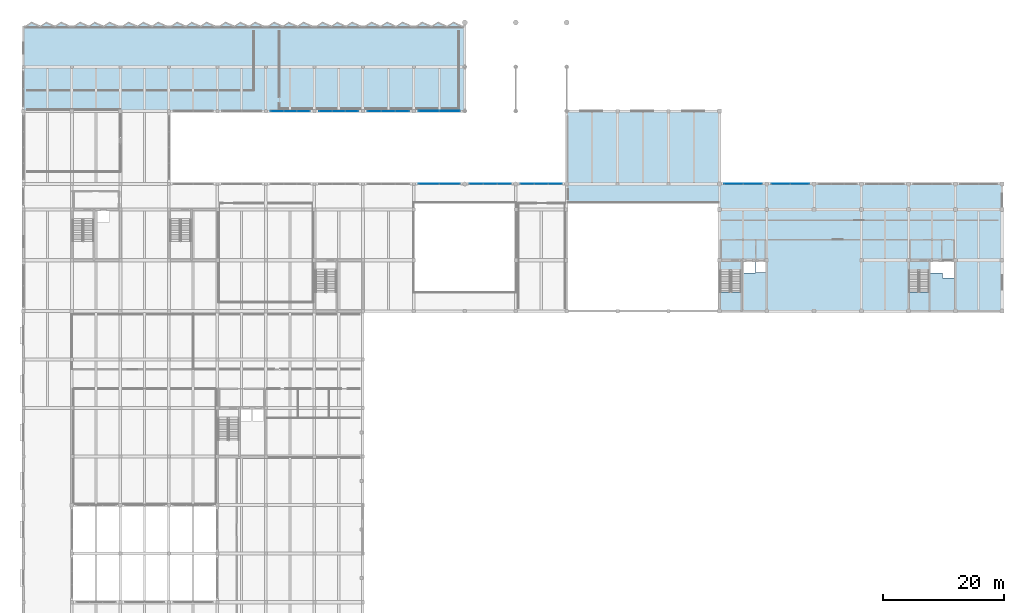
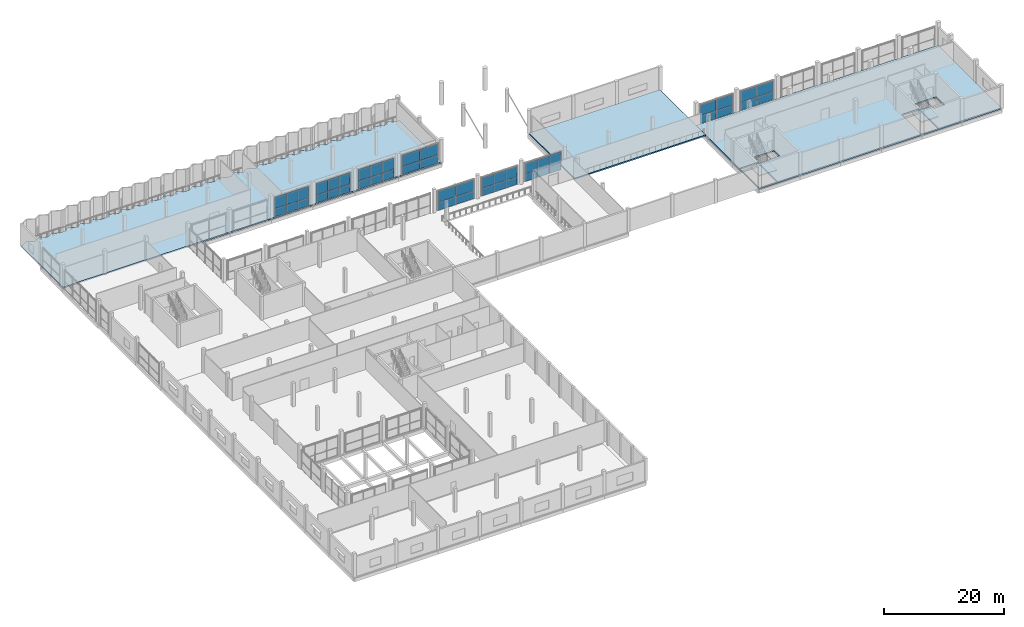
# One storey, part 28 of 47: 46 plates, 5 slabs, 11 elements without a shape of their own.
"""IFC4 building model written with IfcOpenShell, lengths in metres."""

from ifc_helpers import new_model, si_unit, direction, frame, origin, origin_2d, place, context, subcontext, project, spatial, polyline, rectangle, outline, extrude, material, layer, layer_set, type_object, element, aggregate, save


model = new_model("IFC4")

# Units and contexts
model_context = context("Model", 3, precision=1e-05, world=origin(), true_north=direction((0.0, 1.0)))
body_context = subcontext(model_context, "Body", "Model", "MODEL_VIEW")
ifc_project = project(units=[si_unit("LENGTHUNIT", "METRE"), si_unit("AREAUNIT", "SQUARE_METRE"), si_unit("VOLUMEUNIT", "CUBIC_METRE"), si_unit("PLANEANGLEUNIT", "RADIAN"), si_unit("MASSUNIT", "GRAM", prefix="KILO")], contexts=[model_context])

# Site, building, storey
site_placement = place(None, origin())
site = spatial("IfcSite", under=ifc_project, at=site_placement, CompositionType="ELEMENT")
building_placement = place(site_placement, origin())
building = spatial("IfcBuilding", under=site, at=building_placement, Name="Vharandega Faculty of Natural Sciences", CompositionType="ELEMENT")
storey_placement = place(building_placement, frame((0.0, 0.0, 5.39990234375)))
storey = spatial("IfcBuildingStorey", under=building, at=storey_placement, Name="L01", CompositionType="ELEMENT", Elevation=5.39990234375)

# Curtain wall, plates
ifc_material_1 = material(Name="Aluminium and solar-control glass curtain wall", Category="aluminium")
curtain_wall_type_1 = type_object("IfcCurtainWallType", Name="Unitised Curtain Wall System CW-03", PredefinedType="NOTDEFINED", material=ifc_material_1)
curtain_wall_1_placement = place(storey_placement, origin())
curtain_wall_1 = element("IfcCurtainWall", 1, at=curtain_wall_1_placement, inside=storey, type_object=curtain_wall_type_1, Name="Curtain Wall CW-L01-002", PredefinedType="NOTDEFINED")
ifc_material_2 = material(Name="Double-glazed low-E solar glass", Category="glass")
ifc_layer_1 = layer(ifc_material_2, 0.028076171875, Name="Double-glazed low-E solar glass")
ifc_layer_set_1 = layer_set([ifc_layer_1], Name="Double-glazed low-E solar glass")
plate_type_1 = type_object("IfcPlateType", Name="CW Solar Vision Panel 28mm", PredefinedType="CURTAIN_PANEL", material=ifc_layer_set_1)
plate_1_placement = place(storey_placement, frame((117.135009765625, 85.0, 0.06005859375), z_axis=(0.0, 0.0, 1.0), x_axis=(1.0, 0.0, 0.0)))
plate_1 = element("IfcPlate", 2, at=plate_1_placement, type_object=plate_type_1, Name="CW-03 panel 1.1", PredefinedType="CURTAIN_PANEL", context=body_context, shape_type="SweptSolid", body=[
    extrude(rectangle(XDim=3.070068359375, YDim=0.028076171875, at=origin_2d()), origin(), (0.0, 0.0, 1.0), 1.569091796875),
])
plate_2_placement = place(storey_placement, frame((117.135009765625, 85.0, 1.68896484375), z_axis=(0.0, 0.0, 1.0), x_axis=(1.0, 0.0, 0.0)))
plate_2 = element("IfcPlate", 3, at=plate_2_placement, type_object=plate_type_1, Name="CW-03 panel 1.2", PredefinedType="CURTAIN_PANEL", context=body_context, shape_type="SweptSolid", body=[
    extrude(rectangle(XDim=3.070068359375, YDim=0.028076171875, at=origin_2d()), origin(), (0.0, 0.0, 1.0), 2.200927734375),
])
plate_3_placement = place(storey_placement, frame((120.264892578125, 85.0, 0.06005859375), z_axis=(0.0, 0.0, 1.0), x_axis=(1.0, 0.0, 0.0)))
plate_3 = element("IfcPlate", 4, at=plate_3_placement, type_object=plate_type_1, Name="CW-03 panel 2.1", PredefinedType="CURTAIN_PANEL", context=body_context, shape_type="SweptSolid", body=[
    extrude(rectangle(XDim=3.070068359375, YDim=0.028076171875, at=origin_2d()), origin(), (0.0, 0.0, 1.0), 1.569091796875),
])
plate_4_placement = place(storey_placement, frame((120.264892578125, 85.0, 1.68896484375), z_axis=(0.0, 0.0, 1.0), x_axis=(1.0, 0.0, 0.0)))
plate_4 = element("IfcPlate", 5, at=plate_4_placement, type_object=plate_type_1, Name="CW-03 panel 2.2", PredefinedType="CURTAIN_PANEL", context=body_context, shape_type="SweptSolid", body=[
    extrude(rectangle(XDim=3.070068359375, YDim=0.028076171875, at=origin_2d()), origin(), (0.0, 0.0, 1.0), 2.200927734375),
])
aggregate(curtain_wall_1, [plate_1, plate_2, plate_3, plate_4])

ifc_material_3 = material(Name="Aluminium and solar-control glass curtain wall", Category="aluminium")
curtain_wall_type_2 = type_object("IfcCurtainWallType", Name="Unitised Curtain Wall System CW-04", PredefinedType="NOTDEFINED", material=ifc_material_3)
curtain_wall_2_placement = place(storey_placement, origin())
curtain_wall_2 = element("IfcCurtainWall", 6, at=curtain_wall_2_placement, inside=storey, type_object=curtain_wall_type_2, Name="Curtain Wall CW-L01-003", PredefinedType="NOTDEFINED")
plate_5_placement = place(storey_placement, frame((124.93505859375, 85.0, 0.06005859375), z_axis=(0.0, 0.0, 1.0), x_axis=(1.0, 0.0, 0.0)))
plate_5 = element("IfcPlate", 7, at=plate_5_placement, type_object=plate_type_1, Name="CW-04 panel 1.1", PredefinedType="CURTAIN_PANEL", context=body_context, shape_type="SweptSolid", body=[
    extrude(rectangle(XDim=3.070068359375, YDim=0.028076171875, at=origin_2d()), origin(), (0.0, 0.0, 1.0), 1.569091796875),
])
plate_6_placement = place(storey_placement, frame((124.93505859375, 85.0, 1.68896484375), z_axis=(0.0, 0.0, 1.0), x_axis=(1.0, 0.0, 0.0)))
plate_6 = element("IfcPlate", 8, at=plate_6_placement, type_object=plate_type_1, Name="CW-04 panel 1.2", PredefinedType="CURTAIN_PANEL", context=body_context, shape_type="SweptSolid", body=[
    extrude(rectangle(XDim=3.070068359375, YDim=0.028076171875, at=origin_2d()), origin(), (0.0, 0.0, 1.0), 2.200927734375),
])
plate_7_placement = place(storey_placement, frame((128.06494140625, 85.0, 0.06005859375), z_axis=(0.0, 0.0, 1.0), x_axis=(1.0, 0.0, 0.0)))
plate_7 = element("IfcPlate", 9, at=plate_7_placement, type_object=plate_type_1, Name="CW-04 panel 2.1", PredefinedType="CURTAIN_PANEL", context=body_context, shape_type="SweptSolid", body=[
    extrude(rectangle(XDim=3.070068359375, YDim=0.028076171875, at=origin_2d()), origin(), (0.0, 0.0, 1.0), 1.569091796875),
])
plate_8_placement = place(storey_placement, frame((128.06494140625, 85.0, 1.68896484375), z_axis=(0.0, 0.0, 1.0), x_axis=(1.0, 0.0, 0.0)))
plate_8 = element("IfcPlate", 10, at=plate_8_placement, type_object=plate_type_1, Name="CW-04 panel 2.2", PredefinedType="CURTAIN_PANEL", context=body_context, shape_type="SweptSolid", body=[
    extrude(rectangle(XDim=3.070068359375, YDim=0.028076171875, at=origin_2d()), origin(), (0.0, 0.0, 1.0), 2.200927734375),
])
aggregate(curtain_wall_2, [plate_5, plate_6, plate_7, plate_8])

ifc_material_4 = material(Name="Aluminium and solar-control glass curtain wall", Category="aluminium")
curtain_wall_type_3 = type_object("IfcCurtainWallType", Name="Unitised Curtain Wall System CW-20", PredefinedType="NOTDEFINED", material=ifc_material_4)
curtain_wall_3_placement = place(storey_placement, origin())
curtain_wall_3 = element("IfcCurtainWall", 11, at=curtain_wall_3_placement, inside=storey, type_object=curtain_wall_type_3, Name="Curtain Wall CW-L01-047", PredefinedType="NOTDEFINED")
plate_9_placement = place(storey_placement, frame((41.841552734375, 97.0, 0.06005859375), z_axis=(0.0, 0.0, 1.0), x_axis=(1.0, 0.0, 0.0)))
plate_9 = element("IfcPlate", 12, at=plate_9_placement, type_object=plate_type_1, Name="CW-20 panel 1.1", PredefinedType="CURTAIN_PANEL", context=body_context, shape_type="SweptSolid", body=[
    extrude(rectangle(XDim=2.083251953125, YDim=0.028076171875, at=origin_2d()), origin(), (0.0, 0.0, 1.0), 1.606689453125),
])
plate_10_placement = place(storey_placement, frame((41.841552734375, 97.0, 1.72705078125), z_axis=(0.0, 0.0, 1.0), x_axis=(1.0, 0.0, 0.0)))
plate_10 = element("IfcPlate", 13, at=plate_10_placement, type_object=plate_type_1, Name="CW-20 panel 1.2", PredefinedType="CURTAIN_PANEL", context=body_context, shape_type="SweptSolid", body=[
    extrude(rectangle(XDim=2.083251953125, YDim=0.028076171875, at=origin_2d()), origin(), (0.0, 0.0, 1.0), 2.253173828125),
])
plate_11_placement = place(storey_placement, frame((44.0, 97.0, 0.06005859375), z_axis=(0.0, 0.0, 1.0), x_axis=(1.0, 0.0, 0.0)))
plate_11 = element("IfcPlate", 14, at=plate_11_placement, type_object=plate_type_1, Name="CW-20 panel 2.1", PredefinedType="CURTAIN_PANEL", context=body_context, shape_type="SweptSolid", body=[
    extrude(rectangle(XDim=2.11328125, YDim=0.028076171875, at=origin_2d()), origin(), (0.0, 0.0, 1.0), 1.606689453125),
])
plate_12_placement = place(storey_placement, frame((44.0, 97.0, 1.72705078125), z_axis=(0.0, 0.0, 1.0), x_axis=(1.0, 0.0, 0.0)))
plate_12 = element("IfcPlate", 15, at=plate_12_placement, type_object=plate_type_1, Name="CW-20 panel 2.2", PredefinedType="CURTAIN_PANEL", context=body_context, shape_type="SweptSolid", body=[
    extrude(rectangle(XDim=2.11328125, YDim=0.028076171875, at=origin_2d()), origin(), (0.0, 0.0, 1.0), 2.253173828125),
])
plate_13_placement = place(storey_placement, frame((46.158447265625, 97.0, 0.06005859375), z_axis=(0.0, 0.0, 1.0), x_axis=(1.0, 0.0, 0.0)))
plate_13 = element("IfcPlate", 16, at=plate_13_placement, type_object=plate_type_1, Name="CW-20 panel 3.1", PredefinedType="CURTAIN_PANEL", context=body_context, shape_type="SweptSolid", body=[
    extrude(rectangle(XDim=2.083251953125, YDim=0.028076171875, at=origin_2d()), origin(), (0.0, 0.0, 1.0), 1.606689453125),
])
plate_14_placement = place(storey_placement, frame((46.158447265625, 97.0, 1.72705078125), z_axis=(0.0, 0.0, 1.0), x_axis=(1.0, 0.0, 0.0)))
plate_14 = element("IfcPlate", 17, at=plate_14_placement, type_object=plate_type_1, Name="CW-20 panel 3.2", PredefinedType="CURTAIN_PANEL", context=body_context, shape_type="SweptSolid", body=[
    extrude(rectangle(XDim=2.083251953125, YDim=0.028076171875, at=origin_2d()), origin(), (0.0, 0.0, 1.0), 2.253173828125),
])
aggregate(curtain_wall_3, [plate_9, plate_10, plate_11, plate_12, plate_13, plate_14])

ifc_material_5 = material(Name="Aluminium and solar-control glass curtain wall", Category="aluminium")
curtain_wall_type_4 = type_object("IfcCurtainWallType", Name="Unitised Curtain Wall System CW-21", PredefinedType="NOTDEFINED", material=ifc_material_5)
curtain_wall_4_placement = place(storey_placement, origin())
curtain_wall_4 = element("IfcCurtainWall", 18, at=curtain_wall_4_placement, inside=storey, type_object=curtain_wall_type_4, Name="Curtain Wall CW-L01-048", PredefinedType="NOTDEFINED")
plate_15_placement = place(storey_placement, frame((49.841552734375, 97.0, 0.06005859375), z_axis=(0.0, 0.0, 1.0), x_axis=(1.0, 0.0, 0.0)))
plate_15 = element("IfcPlate", 19, at=plate_15_placement, type_object=plate_type_1, Name="CW-21 panel 1.1", PredefinedType="CURTAIN_PANEL", context=body_context, shape_type="SweptSolid", body=[
    extrude(rectangle(XDim=2.083251953125, YDim=0.028076171875, at=origin_2d()), origin(), (0.0, 0.0, 1.0), 1.606689453125),
])
plate_16_placement = place(storey_placement, frame((49.841552734375, 97.0, 1.72705078125), z_axis=(0.0, 0.0, 1.0), x_axis=(1.0, 0.0, 0.0)))
plate_16 = element("IfcPlate", 20, at=plate_16_placement, type_object=plate_type_1, Name="CW-21 panel 1.2", PredefinedType="CURTAIN_PANEL", context=body_context, shape_type="SweptSolid", body=[
    extrude(rectangle(XDim=2.083251953125, YDim=0.028076171875, at=origin_2d()), origin(), (0.0, 0.0, 1.0), 2.253173828125),
])
plate_17_placement = place(storey_placement, frame((52.0, 97.0, 0.06005859375), z_axis=(0.0, 0.0, 1.0), x_axis=(1.0, 0.0, 0.0)))
plate_17 = element("IfcPlate", 21, at=plate_17_placement, type_object=plate_type_1, Name="CW-21 panel 2.1", PredefinedType="CURTAIN_PANEL", context=body_context, shape_type="SweptSolid", body=[
    extrude(rectangle(XDim=2.11328125, YDim=0.028076171875, at=origin_2d()), origin(), (0.0, 0.0, 1.0), 1.606689453125),
])
plate_18_placement = place(storey_placement, frame((52.0, 97.0, 1.72705078125), z_axis=(0.0, 0.0, 1.0), x_axis=(1.0, 0.0, 0.0)))
plate_18 = element("IfcPlate", 22, at=plate_18_placement, type_object=plate_type_1, Name="CW-21 panel 2.2", PredefinedType="CURTAIN_PANEL", context=body_context, shape_type="SweptSolid", body=[
    extrude(rectangle(XDim=2.11328125, YDim=0.028076171875, at=origin_2d()), origin(), (0.0, 0.0, 1.0), 2.253173828125),
])
plate_19_placement = place(storey_placement, frame((54.158447265625, 97.0, 0.06005859375), z_axis=(0.0, 0.0, 1.0), x_axis=(1.0, 0.0, 0.0)))
plate_19 = element("IfcPlate", 23, at=plate_19_placement, type_object=plate_type_1, Name="CW-21 panel 3.1", PredefinedType="CURTAIN_PANEL", context=body_context, shape_type="SweptSolid", body=[
    extrude(rectangle(XDim=2.083251953125, YDim=0.028076171875, at=origin_2d()), origin(), (0.0, 0.0, 1.0), 1.606689453125),
])
plate_20_placement = place(storey_placement, frame((54.158447265625, 97.0, 1.72705078125), z_axis=(0.0, 0.0, 1.0), x_axis=(1.0, 0.0, 0.0)))
plate_20 = element("IfcPlate", 24, at=plate_20_placement, type_object=plate_type_1, Name="CW-21 panel 3.2", PredefinedType="CURTAIN_PANEL", context=body_context, shape_type="SweptSolid", body=[
    extrude(rectangle(XDim=2.083251953125, YDim=0.028076171875, at=origin_2d()), origin(), (0.0, 0.0, 1.0), 2.253173828125),
])
aggregate(curtain_wall_4, [plate_15, plate_16, plate_17, plate_18, plate_19, plate_20])

ifc_material_6 = material(Name="Aluminium and solar-control glass curtain wall", Category="aluminium")
curtain_wall_type_5 = type_object("IfcCurtainWallType", Name="Unitised Curtain Wall System CW-22", PredefinedType="NOTDEFINED", material=ifc_material_6)
curtain_wall_5_placement = place(storey_placement, origin())
curtain_wall_5 = element("IfcCurtainWall", 25, at=curtain_wall_5_placement, inside=storey, type_object=curtain_wall_type_5, Name="Curtain Wall CW-L01-049", PredefinedType="NOTDEFINED")
plate_21_placement = place(storey_placement, frame((57.908447265625, 97.0, 0.06005859375), z_axis=(0.0, 0.0, 1.0), x_axis=(1.0, 0.0, 0.0)))
plate_21 = element("IfcPlate", 26, at=plate_21_placement, type_object=plate_type_1, Name="CW-22 panel 1.1", PredefinedType="CURTAIN_PANEL", context=body_context, shape_type="SweptSolid", body=[
    extrude(rectangle(XDim=2.216552734375, YDim=0.028076171875, at=origin_2d()), origin(), (0.0, 0.0, 1.0), 1.606689453125),
])
plate_22_placement = place(storey_placement, frame((57.908447265625, 97.0, 1.72705078125), z_axis=(0.0, 0.0, 1.0), x_axis=(1.0, 0.0, 0.0)))
plate_22 = element("IfcPlate", 27, at=plate_22_placement, type_object=plate_type_1, Name="CW-22 panel 1.2", PredefinedType="CURTAIN_PANEL", context=body_context, shape_type="SweptSolid", body=[
    extrude(rectangle(XDim=2.216552734375, YDim=0.028076171875, at=origin_2d()), origin(), (0.0, 0.0, 1.0), 2.253173828125),
])
plate_23_placement = place(storey_placement, frame((60.199951171875, 97.0, 0.06005859375), z_axis=(0.0, 0.0, 1.0), x_axis=(1.0, 0.0, 0.0)))
plate_23 = element("IfcPlate", 28, at=plate_23_placement, type_object=plate_type_1, Name="CW-22 panel 2.1", PredefinedType="CURTAIN_PANEL", context=body_context, shape_type="SweptSolid", body=[
    extrude(rectangle(XDim=2.24658203125, YDim=0.028076171875, at=origin_2d()), origin(), (0.0, 0.0, 1.0), 1.606689453125),
])
plate_24_placement = place(storey_placement, frame((60.199951171875, 97.0, 1.72705078125), z_axis=(0.0, 0.0, 1.0), x_axis=(1.0, 0.0, 0.0)))
plate_24 = element("IfcPlate", 29, at=plate_24_placement, type_object=plate_type_1, Name="CW-22 panel 2.2", PredefinedType="CURTAIN_PANEL", context=body_context, shape_type="SweptSolid", body=[
    extrude(rectangle(XDim=2.24658203125, YDim=0.028076171875, at=origin_2d()), origin(), (0.0, 0.0, 1.0), 2.253173828125),
])
plate_25_placement = place(storey_placement, frame((62.49169921875, 97.0, 0.06005859375), z_axis=(0.0, 0.0, 1.0), x_axis=(1.0, 0.0, 0.0)))
plate_25 = element("IfcPlate", 30, at=plate_25_placement, type_object=plate_type_1, Name="CW-22 panel 3.1", PredefinedType="CURTAIN_PANEL", context=body_context, shape_type="SweptSolid", body=[
    extrude(rectangle(XDim=2.216552734375, YDim=0.028076171875, at=origin_2d()), origin(), (0.0, 0.0, 1.0), 1.606689453125),
])
plate_26_placement = place(storey_placement, frame((62.49169921875, 97.0, 1.72705078125), z_axis=(0.0, 0.0, 1.0), x_axis=(1.0, 0.0, 0.0)))
plate_26 = element("IfcPlate", 31, at=plate_26_placement, type_object=plate_type_1, Name="CW-22 panel 3.2", PredefinedType="CURTAIN_PANEL", context=body_context, shape_type="SweptSolid", body=[
    extrude(rectangle(XDim=2.216552734375, YDim=0.028076171875, at=origin_2d()), origin(), (0.0, 0.0, 1.0), 2.253173828125),
])
aggregate(curtain_wall_5, [plate_21, plate_22, plate_23, plate_24, plate_25, plate_26])

ifc_material_7 = material(Name="Aluminium and solar-control glass curtain wall", Category="aluminium")
curtain_wall_type_6 = type_object("IfcCurtainWallType", Name="Unitised Curtain Wall System CW-28", PredefinedType="NOTDEFINED", material=ifc_material_7)
curtain_wall_6_placement = place(storey_placement, origin())
curtain_wall_6 = element("IfcCurtainWall", 32, at=curtain_wall_6_placement, inside=storey, type_object=curtain_wall_type_6, Name="Curtain Wall CW-L01-083", PredefinedType="NOTDEFINED")
plate_27_placement = place(storey_placement, frame((66.885009765625, 85.0, 0.06005859375), z_axis=(0.0, 0.0, 1.0), x_axis=(1.0, 0.0, 0.0)))
plate_27 = element("IfcPlate", 33, at=plate_27_placement, type_object=plate_type_1, Name="CW-28 panel 1.1", PredefinedType="CURTAIN_PANEL", context=body_context, shape_type="SweptSolid", body=[
    extrude(rectangle(XDim=3.3701171875, YDim=0.028076171875, at=origin_2d()), origin(), (0.0, 0.0, 1.0), 1.598388671875),
])
plate_28_placement = place(storey_placement, frame((66.885009765625, 85.0, 1.718505859375), z_axis=(0.0, 0.0, 1.0), x_axis=(1.0, 0.0, 0.0)))
plate_28 = element("IfcPlate", 34, at=plate_28_placement, type_object=plate_type_1, Name="CW-28 panel 1.2", PredefinedType="CURTAIN_PANEL", context=body_context, shape_type="SweptSolid", body=[
    extrude(rectangle(XDim=3.3701171875, YDim=0.028076171875, at=origin_2d()), origin(), (0.0, 0.0, 1.0), 2.24169921875),
])
plate_29_placement = place(storey_placement, frame((70.31494140625, 85.0, 0.06005859375), z_axis=(0.0, 0.0, 1.0), x_axis=(1.0, 0.0, 0.0)))
plate_29 = element("IfcPlate", 35, at=plate_29_placement, type_object=plate_type_1, Name="CW-28 panel 2.1", PredefinedType="CURTAIN_PANEL", context=body_context, shape_type="SweptSolid", body=[
    extrude(rectangle(XDim=3.3701171875, YDim=0.028076171875, at=origin_2d()), origin(), (0.0, 0.0, 1.0), 1.598388671875),
])
plate_30_placement = place(storey_placement, frame((70.31494140625, 85.0, 1.718505859375), z_axis=(0.0, 0.0, 1.0), x_axis=(1.0, 0.0, 0.0)))
plate_30 = element("IfcPlate", 36, at=plate_30_placement, type_object=plate_type_1, Name="CW-28 panel 2.2", PredefinedType="CURTAIN_PANEL", context=body_context, shape_type="SweptSolid", body=[
    extrude(rectangle(XDim=3.3701171875, YDim=0.028076171875, at=origin_2d()), origin(), (0.0, 0.0, 1.0), 2.24169921875),
])
aggregate(curtain_wall_6, [plate_27, plate_28, plate_29, plate_30])

ifc_material_8 = material(Name="Aluminium and solar-control glass curtain wall", Category="aluminium")
curtain_wall_type_7 = type_object("IfcCurtainWallType", Name="Unitised Curtain Wall System CW-01", PredefinedType="NOTDEFINED", material=ifc_material_8)
curtain_wall_7_placement = place(storey_placement, origin())
curtain_wall_7 = element("IfcCurtainWall", 37, at=curtain_wall_7_placement, inside=storey, type_object=curtain_wall_type_7, Name="Curtain Wall CW-L01-084", PredefinedType="NOTDEFINED")
plate_31_placement = place(storey_placement, frame((74.708251953125, 85.0, 0.06005859375), z_axis=(0.0, 0.0, 1.0), x_axis=(1.0, 0.0, 0.0)))
plate_31 = element("IfcPlate", 38, at=plate_31_placement, type_object=plate_type_1, Name="CW-01 panel 1.1", PredefinedType="CURTAIN_PANEL", context=body_context, shape_type="SweptSolid", body=[
    extrude(rectangle(XDim=2.216552734375, YDim=0.028076171875, at=origin_2d()), origin(), (0.0, 0.0, 1.0), 1.506103515625),
])
plate_32_placement = place(storey_placement, frame((74.708251953125, 85.0, 1.6259765625), z_axis=(0.0, 0.0, 1.0), x_axis=(1.0, 0.0, 0.0)))
plate_32 = element("IfcPlate", 39, at=plate_32_placement, type_object=plate_type_1, Name="CW-01 panel 1.2", PredefinedType="CURTAIN_PANEL", context=body_context, shape_type="SweptSolid", body=[
    extrude(rectangle(XDim=2.216552734375, YDim=0.028076171875, at=origin_2d()), origin(), (0.0, 0.0, 1.0), 2.114013671875),
])
plate_33_placement = place(storey_placement, frame((77.0, 85.0, 0.06005859375), z_axis=(0.0, 0.0, 1.0), x_axis=(1.0, 0.0, 0.0)))
plate_33 = element("IfcPlate", 40, at=plate_33_placement, type_object=plate_type_1, Name="CW-01 panel 2.1", PredefinedType="CURTAIN_PANEL", context=body_context, shape_type="SweptSolid", body=[
    extrude(rectangle(XDim=2.24658203125, YDim=0.028076171875, at=origin_2d()), origin(), (0.0, 0.0, 1.0), 1.506103515625),
])
plate_34_placement = place(storey_placement, frame((77.0, 85.0, 1.6259765625), z_axis=(0.0, 0.0, 1.0), x_axis=(1.0, 0.0, 0.0)))
plate_34 = element("IfcPlate", 41, at=plate_34_placement, type_object=plate_type_1, Name="CW-01 panel 2.2", PredefinedType="CURTAIN_PANEL", context=body_context, shape_type="SweptSolid", body=[
    extrude(rectangle(XDim=2.24658203125, YDim=0.028076171875, at=origin_2d()), origin(), (0.0, 0.0, 1.0), 2.114013671875),
])
plate_35_placement = place(storey_placement, frame((79.291748046875, 85.0, 0.06005859375), z_axis=(0.0, 0.0, 1.0), x_axis=(1.0, 0.0, 0.0)))
plate_35 = element("IfcPlate", 42, at=plate_35_placement, type_object=plate_type_1, Name="CW-01 panel 3.1", PredefinedType="CURTAIN_PANEL", context=body_context, shape_type="SweptSolid", body=[
    extrude(rectangle(XDim=2.216552734375, YDim=0.028076171875, at=origin_2d()), origin(), (0.0, 0.0, 1.0), 1.506103515625),
])
plate_36_placement = place(storey_placement, frame((79.291748046875, 85.0, 1.6259765625), z_axis=(0.0, 0.0, 1.0), x_axis=(1.0, 0.0, 0.0)))
plate_36 = element("IfcPlate", 43, at=plate_36_placement, type_object=plate_type_1, Name="CW-01 panel 3.2", PredefinedType="CURTAIN_PANEL", context=body_context, shape_type="SweptSolid", body=[
    extrude(rectangle(XDim=2.216552734375, YDim=0.028076171875, at=origin_2d()), origin(), (0.0, 0.0, 1.0), 2.114013671875),
])
aggregate(curtain_wall_7, [plate_31, plate_32, plate_33, plate_34, plate_35, plate_36])

ifc_material_9 = material(Name="Aluminium and solar-control glass curtain wall", Category="aluminium")
curtain_wall_type_8 = type_object("IfcCurtainWallType", Name="Unitised Curtain Wall System CW-02", PredefinedType="NOTDEFINED", material=ifc_material_9)
curtain_wall_8_placement = place(storey_placement, origin())
curtain_wall_8 = element("IfcCurtainWall", 44, at=curtain_wall_8_placement, inside=storey, type_object=curtain_wall_type_8, Name="Curtain Wall CW-L01-085", PredefinedType="NOTDEFINED")
plate_37_placement = place(storey_placement, frame((83.1083984375, 85.0, 0.06005859375), z_axis=(0.0, 0.0, 1.0), x_axis=(1.0, 0.0, 0.0)))
plate_37 = element("IfcPlate", 45, at=plate_37_placement, type_object=plate_type_1, Name="CW-02 panel 1.1", PredefinedType="CURTAIN_PANEL", context=body_context, shape_type="SweptSolid", body=[
    extrude(rectangle(XDim=2.216552734375, YDim=0.028076171875, at=origin_2d()), origin(), (0.0, 0.0, 1.0), 1.506103515625),
])
plate_38_placement = place(storey_placement, frame((83.1083984375, 85.0, 1.6259765625), z_axis=(0.0, 0.0, 1.0), x_axis=(1.0, 0.0, 0.0)))
plate_38 = element("IfcPlate", 46, at=plate_38_placement, type_object=plate_type_1, Name="CW-02 panel 1.2", PredefinedType="CURTAIN_PANEL", context=body_context, shape_type="SweptSolid", body=[
    extrude(rectangle(XDim=2.216552734375, YDim=0.028076171875, at=origin_2d()), origin(), (0.0, 0.0, 1.0), 2.114013671875),
])
plate_39_placement = place(storey_placement, frame((85.39990234375, 85.0, 0.06005859375), z_axis=(0.0, 0.0, 1.0), x_axis=(1.0, 0.0, 0.0)))
plate_39 = element("IfcPlate", 47, at=plate_39_placement, type_object=plate_type_1, Name="CW-02 panel 2.1", PredefinedType="CURTAIN_PANEL", context=body_context, shape_type="SweptSolid", body=[
    extrude(rectangle(XDim=2.24658203125, YDim=0.028076171875, at=origin_2d()), origin(), (0.0, 0.0, 1.0), 1.506103515625),
])
plate_40_placement = place(storey_placement, frame((85.39990234375, 85.0, 1.6259765625), z_axis=(0.0, 0.0, 1.0), x_axis=(1.0, 0.0, 0.0)))
plate_40 = element("IfcPlate", 48, at=plate_40_placement, type_object=plate_type_1, Name="CW-02 panel 2.2", PredefinedType="CURTAIN_PANEL", context=body_context, shape_type="SweptSolid", body=[
    extrude(rectangle(XDim=2.24658203125, YDim=0.028076171875, at=origin_2d()), origin(), (0.0, 0.0, 1.0), 2.114013671875),
])
plate_41_placement = place(storey_placement, frame((87.691650390625, 85.0, 0.06005859375), z_axis=(0.0, 0.0, 1.0), x_axis=(1.0, 0.0, 0.0)))
plate_41 = element("IfcPlate", 49, at=plate_41_placement, type_object=plate_type_1, Name="CW-02 panel 3.1", PredefinedType="CURTAIN_PANEL", context=body_context, shape_type="SweptSolid", body=[
    extrude(rectangle(XDim=2.216552734375, YDim=0.028076171875, at=origin_2d()), origin(), (0.0, 0.0, 1.0), 1.506103515625),
])
plate_42_placement = place(storey_placement, frame((87.691650390625, 85.0, 1.6259765625), z_axis=(0.0, 0.0, 1.0), x_axis=(1.0, 0.0, 0.0)))
plate_42 = element("IfcPlate", 50, at=plate_42_placement, type_object=plate_type_1, Name="CW-02 panel 3.2", PredefinedType="CURTAIN_PANEL", context=body_context, shape_type="SweptSolid", body=[
    extrude(rectangle(XDim=2.216552734375, YDim=0.028076171875, at=origin_2d()), origin(), (0.0, 0.0, 1.0), 2.114013671875),
])
aggregate(curtain_wall_8, [plate_37, plate_38, plate_39, plate_40, plate_41, plate_42])

ifc_material_10 = material(Name="Aluminium and solar-control glass curtain wall", Category="aluminium")
curtain_wall_type_9 = type_object("IfcCurtainWallType", Name="Unitised Curtain Wall System CW-23", PredefinedType="NOTDEFINED", material=ifc_material_10)
curtain_wall_9_placement = place(storey_placement, origin())
curtain_wall_9 = element("IfcCurtainWall", 51, at=curtain_wall_9_placement, inside=storey, type_object=curtain_wall_type_9, Name="Curtain Wall CW-L01-050", PredefinedType="NOTDEFINED")
ifc_material_11 = material(Name="Terracotta insulated spandrel panel", Category="masonry")
ifc_layer_2 = layer(ifc_material_11, 0.035888671875, Name="Terracotta insulated spandrel panel")
ifc_layer_set_2 = layer_set([ifc_layer_2], Name="Terracotta insulated spandrel panel")
plate_type_2 = type_object("IfcPlateType", Name="CW Terracotta Spandrel Panel 36mm", PredefinedType="CURTAIN_PANEL", material=ifc_layer_set_2)
plate_43_placement = place(storey_placement, frame((66.885009765625, 97.0, 0.06005859375), z_axis=(0.0, 0.0, 1.0), x_axis=(1.0, 0.0, 0.0)))
plate_43 = element("IfcPlate", 52, at=plate_43_placement, type_object=plate_type_2, Name="CW-23 panel 1.1", PredefinedType="CURTAIN_PANEL", context=body_context, shape_type="SweptSolid", body=[
    extrude(rectangle(XDim=3.3701171875, YDim=0.035888671875, at=origin_2d()), origin(), (0.0, 0.0, 1.0), 1.606689453125),
])
plate_44_placement = place(storey_placement, frame((66.885009765625, 97.0, 1.72705078125), z_axis=(0.0, 0.0, 1.0), x_axis=(1.0, 0.0, 0.0)))
plate_44 = element("IfcPlate", 53, at=plate_44_placement, type_object=plate_type_2, Name="CW-23 panel 1.2", PredefinedType="CURTAIN_PANEL", context=body_context, shape_type="SweptSolid", body=[
    extrude(rectangle(XDim=3.3701171875, YDim=0.035888671875, at=origin_2d()), origin(), (0.0, 0.0, 1.0), 2.253173828125),
])
plate_45_placement = place(storey_placement, frame((70.31494140625, 97.0, 0.06005859375), z_axis=(0.0, 0.0, 1.0), x_axis=(1.0, 0.0, 0.0)))
plate_45 = element("IfcPlate", 54, at=plate_45_placement, type_object=plate_type_2, Name="CW-23 panel 2.1", PredefinedType="CURTAIN_PANEL", context=body_context, shape_type="SweptSolid", body=[
    extrude(rectangle(XDim=3.3701171875, YDim=0.035888671875, at=origin_2d()), origin(), (0.0, 0.0, 1.0), 1.606689453125),
])
plate_46_placement = place(storey_placement, frame((70.31494140625, 97.0, 1.72705078125), z_axis=(0.0, 0.0, 1.0), x_axis=(1.0, 0.0, 0.0)))
plate_46 = element("IfcPlate", 55, at=plate_46_placement, type_object=plate_type_2, Name="CW-23 panel 2.2", PredefinedType="CURTAIN_PANEL", context=body_context, shape_type="SweptSolid", body=[
    extrude(rectangle(XDim=3.3701171875, YDim=0.035888671875, at=origin_2d()), origin(), (0.0, 0.0, 1.0), 2.253173828125),
])
aggregate(curtain_wall_9, [plate_43, plate_44, plate_45, plate_46])

# Slabs
ifc_material_12 = material(Name="Concrete C40/50", Category="concrete")
ifc_layer_3 = layer(ifc_material_12, 0.260009765625, Name="Concrete C40/50")
ifc_layer_set_3 = layer_set([ifc_layer_3], Name="Concrete C40/50")
slab_type_1 = type_object("IfcSlabType", Name="SLAB-RC-260", PredefinedType="FLOOR", material=ifc_layer_set_3)
slab_1_placement = place(storey_placement, frame((0.0, 0.0, -0.260009765625)))
element("IfcSlab", 56, at=slab_1_placement, inside=storey, type_object=slab_type_1, Name="L01 V2 Floor Slab", PredefinedType="FLOOR", context=body_context, shape_type="SweptSolid", body=[
    extrude(outline(polyline([(0.0, 97.0), (72.800048828125, 97.0), (72.800048828125, 110.949951171875), (72.43994140625, 110.949951171875), (70.904052734375, 111.60009765625), (69.8798828125, 110.949951171875), (69.8798828125, 110.949951171875), (68.343994140625, 111.60009765625), (67.320068359375, 110.949951171875), (67.320068359375, 110.949951171875), (65.783935546875, 111.60009765625), (64.760009765625, 110.949951171875), (64.0400390625, 110.949951171875), (62.50390625, 111.60009765625), (61.47998046875, 110.949951171875), (61.47998046875, 110.949951171875), (59.944091796875, 111.60009765625), (58.919921875, 110.949951171875), (58.919921875, 110.949951171875), (57.384033203125, 111.60009765625), (56.360107421875, 110.949951171875), (55.639892578125, 110.949951171875), (54.18408203125, 111.60009765625), (53.21337890625, 110.949951171875), (53.21337890625, 110.949951171875), (51.75732421875, 111.60009765625), (50.78662109375, 110.949951171875), (50.78662109375, 110.949951171875), (49.330810546875, 111.60009765625), (48.360107421875, 110.949951171875), (47.639892578125, 110.949951171875), (46.18408203125, 111.60009765625), (45.21337890625, 110.949951171875), (45.21337890625, 110.949951171875), (43.75732421875, 111.60009765625), (42.78662109375, 110.949951171875), (42.78662109375, 110.949951171875), (41.330810546875, 111.60009765625), (40.360107421875, 110.949951171875), (39.639892578125, 110.949951171875), (38.18408203125, 111.60009765625), (37.21337890625, 110.949951171875), (37.21337890625, 110.949951171875), (35.75732421875, 111.60009765625), (34.78662109375, 110.949951171875), (34.78662109375, 110.949951171875), (33.330810546875, 111.60009765625), (32.360107421875, 110.949951171875), (31.639892578125, 110.949951171875), (30.18408203125, 111.60009765625), (29.21337890625, 110.949951171875), (29.21337890625, 110.949951171875), (27.75732421875, 111.60009765625), (26.78662109375, 110.949951171875), (26.78662109375, 110.949951171875), (25.330810546875, 111.60009765625), (24.360107421875, 110.949951171875), (23.639892578125, 110.949951171875), (22.18408203125, 111.60009765625), (21.21337890625, 110.949951171875), (21.21337890625, 110.949951171875), (19.75732421875, 111.60009765625), (18.78662109375, 110.949951171875), (18.78662109375, 110.949951171875), (17.330810546875, 111.60009765625), (16.360107421875, 110.949951171875), (15.639892578125, 110.949951171875), (14.18408203125, 111.60009765625), (13.21337890625, 110.949951171875), (13.21337890625, 110.949951171875), (11.75732421875, 111.60009765625), (10.78662109375, 110.949951171875), (10.78662109375, 110.949951171875), (9.330810546875, 111.60009765625), (8.360107421875, 110.949951171875), (7.639892578125, 110.949951171875), (6.18408203125, 111.60009765625), (5.21337890625, 110.949951171875), (5.21337890625, 110.949951171875), (3.75732421875, 111.60009765625), (2.78662109375, 110.949951171875), (2.78662109375, 110.949951171875), (1.330810546875, 111.60009765625), (0.360107421875, 110.949951171875), (0.0, 110.949951171875), (0.0, 97.0)])), origin(), (0.0, 0.0, 1.0), 0.260009765625),
])
slab_2_placement = place(storey_placement, frame((0.0, 0.0, -0.260009765625)))
element("IfcSlab", 57, at=slab_2_placement, inside=storey, type_object=slab_type_1, Name="L01 V1 Floor Slab", PredefinedType="FLOOR", context=body_context, shape_type="SweptSolid", body=[
    extrude(outline(polyline([(89.60009765625, 81.800048828125), (114.800048828125, 81.800048828125), (114.800048828125, 97.0), (89.60009765625, 97.0), (89.60009765625, 81.800048828125)])), origin(), (0.0, 0.0, 1.0), 0.260009765625),
])
ifc_material_13 = material(Name="Concrete C40/50", Category="concrete")
ifc_layer_4 = layer(ifc_material_13, 0.280029296875, Name="Concrete C40/50")
ifc_layer_set_4 = layer_set([ifc_layer_4], Name="Concrete C40/50")
slab_type_2 = type_object("IfcSlabType", Name="SLAB-RC-280", PredefinedType="FLOOR", material=ifc_layer_set_4)
slab_3_placement = place(storey_placement, frame((0.0, 0.0, -0.27978515625)))
element("IfcSlab", 58, at=slab_3_placement, inside=storey, type_object=slab_type_2, Name="L01 V4 Floor Slab", PredefinedType="FLOOR", context=body_context, shape_type="SweptSolid", body=[
    extrude(outline(polyline([(114.800048828125, 64.0), (161.39990234375, 64.0), (161.39990234375, 85.0), (114.800048828125, 85.0), (114.800048828125, 64.0)]), holes=[polyline([(114.93994140625, 70.544921875), (114.93994140625, 64.139892578125), (118.360107421875, 64.139892578125), (118.360107421875, 70.544921875), (114.93994140625, 70.544921875)]), polyline([(118.64990234375, 70.300048828125), (120.75, 70.300048828125), (120.75, 72.219970703125), (118.64990234375, 72.219970703125), (118.64990234375, 70.300048828125)]), polyline([(120.85009765625, 70.39990234375), (122.47998046875, 70.39990234375), (122.47998046875, 72.219970703125), (120.85009765625, 72.219970703125), (120.85009765625, 70.39990234375)]), polyline([(146.06005859375, 70.594970703125), (146.06005859375, 64.139892578125), (149.3798828125, 64.139892578125), (149.3798828125, 70.594970703125), (146.06005859375, 70.594970703125)]), polyline([(149.449951171875, 70.300048828125), (151.570068359375, 70.300048828125), (151.570068359375, 72.219970703125), (149.449951171875, 72.219970703125), (149.449951171875, 70.300048828125)]), polyline([(151.6201171875, 69.5), (153.639892578125, 69.5), (153.639892578125, 72.219970703125), (151.6201171875, 72.219970703125), (151.6201171875, 69.5)])]), origin(), (0.0, 0.0, 1.0), 0.27978515625),
])

# Stair, slab
ifc_material_14 = material(Name="Concrete C40/50", Category="concrete")
stair_type_1 = type_object("IfcStairType", Name="Escape Dog-Leg Stair W165 H480", PredefinedType="HALF_TURN_STAIR", material=ifc_material_14)
stair_1_placement = place(storey_placement, origin())
stair_1 = element("IfcStair", 59, at=stair_1_placement, inside=storey, type_object=stair_type_1, Name="L01 Escape Stair ST1", PredefinedType="HALF_TURN_STAIR")
ifc_material_15 = material(Name="Concrete C40/50", Category="concrete")
ifc_layer_5 = layer(ifc_material_15, 0.199951171875, Name="Concrete C40/50")
ifc_layer_set_5 = layer_set([ifc_layer_5], Name="Concrete C40/50")
slab_type_3 = type_object("IfcSlabType", Name="Stair Half-Landing Slab 200", PredefinedType="LANDING", material=ifc_layer_set_5)
slab_4_placement = place(storey_placement, frame((0.0, 0.0, 2.2001953125)))
slab_4 = element("IfcSlab", 60, at=slab_4_placement, type_object=slab_type_3, Name="ST1 landing 1", PredefinedType="LANDING", context=body_context, shape_type="SweptSolid", body=[
    extrude(outline(polyline([(114.93994140625, 67.1298828125), (114.93994140625, 64.139892578125), (118.360107421875, 64.139892578125), (118.360107421875, 67.1298828125), (114.93994140625, 67.1298828125)])), origin(), (0.0, 0.0, 1.0), 0.199951171875),
])
aggregate(stair_1, [slab_4])

ifc_material_16 = material(Name="Concrete C40/50", Category="concrete")
stair_type_2 = type_object("IfcStairType", Name="Escape Dog-Leg Stair W160 H480", PredefinedType="HALF_TURN_STAIR", material=ifc_material_16)
stair_2_placement = place(storey_placement, origin())
stair_2 = element("IfcStair", 61, at=stair_2_placement, inside=storey, type_object=stair_type_2, Name="L01 Escape Stair ST2", PredefinedType="HALF_TURN_STAIR")
slab_5_placement = place(storey_placement, frame((0.0, 0.0, 2.2001953125)))
slab_5 = element("IfcSlab", 62, at=slab_5_placement, type_object=slab_type_3, Name="ST2 landing 1", PredefinedType="LANDING", context=body_context, shape_type="SweptSolid", body=[
    extrude(outline(polyline([(146.06005859375, 67.179931640625), (146.06005859375, 64.139892578125), (149.3798828125, 64.139892578125), (149.3798828125, 67.179931640625), (146.06005859375, 67.179931640625)])), origin(), (0.0, 0.0, 1.0), 0.199951171875),
])
aggregate(stair_2, [slab_5])

save(model, "model.ifc")
